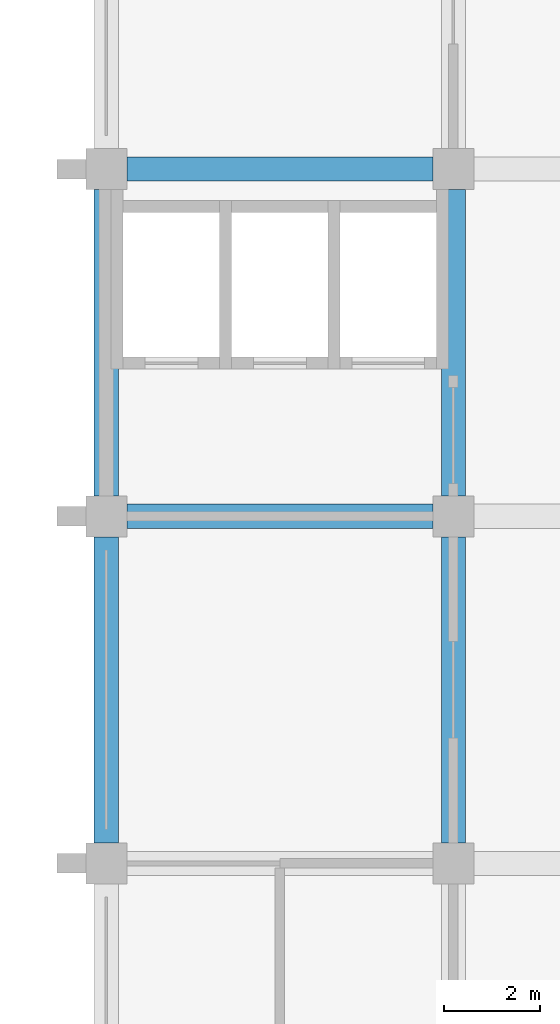
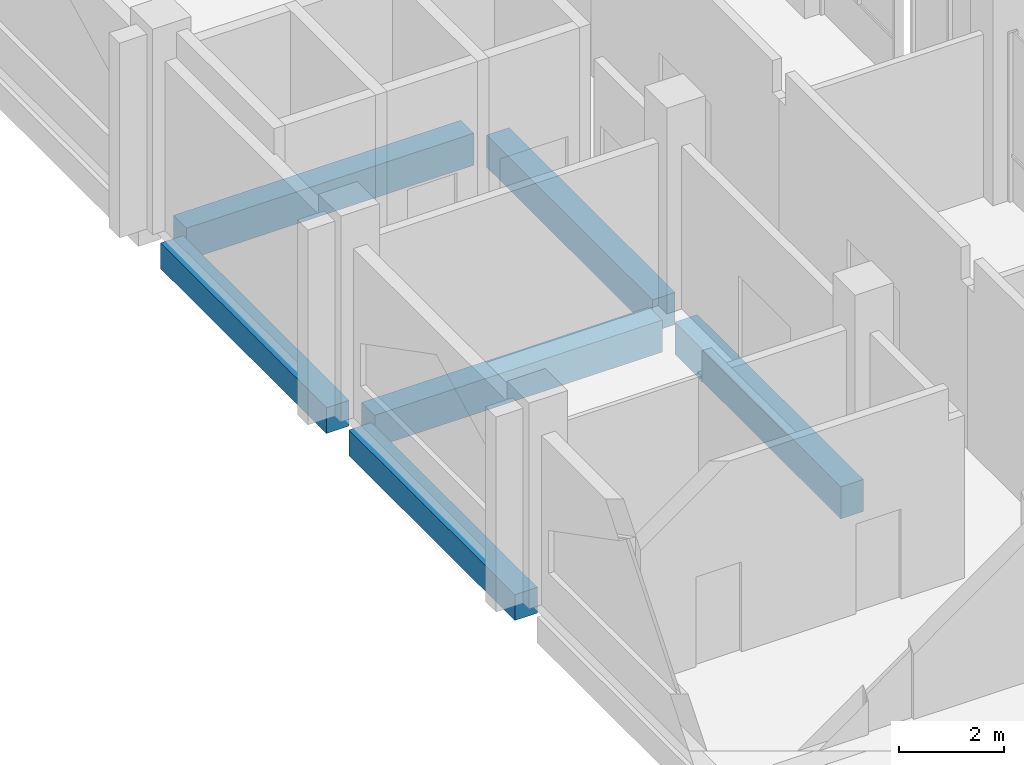
# One storey, part 17 of 40: 6 beams.
"""IFC4 building model written with IfcOpenShell, lengths in metres."""

from ifc_helpers import new_model, si_unit, direction, frame, origin, origin_2d, place, context, subcontext, project, spatial, rectangle, extrude, material, material_profile, profile_set, type_object, element, save


model = new_model("IFC4")

# Units and contexts
model_context = context("Model", 3, precision=1e-05, world=origin(), true_north=direction((0.0, 1.0)))
body_context = subcontext(model_context, "Body", "Model", "MODEL_VIEW")
ifc_project = project(units=[si_unit("LENGTHUNIT", "METRE"), si_unit("AREAUNIT", "SQUARE_METRE"), si_unit("VOLUMEUNIT", "CUBIC_METRE"), si_unit("PLANEANGLEUNIT", "RADIAN"), si_unit("MASSUNIT", "GRAM", prefix="KILO")], contexts=[model_context])

# Site, building, storey
site_placement = place(None, origin())
site = spatial("IfcSite", under=ifc_project, at=site_placement, CompositionType="ELEMENT")
building_placement = place(site_placement, origin())
building = spatial("IfcBuilding", under=site, at=building_placement, Name="Silangan Lancet Faculty of Sciences", CompositionType="ELEMENT")
storey_placement = place(building_placement, frame((0.0, 0.0, 16.800048828125)))
storey = spatial("IfcBuildingStorey", under=building, at=storey_placement, Name="L03", CompositionType="ELEMENT", Elevation=16.800048828125)

# Beams
ifc_material_1 = material(Name="Concrete C40/50", Category="concrete")
ifc_material_profile_1 = material_profile(ifc_material_1, rectangle(XDim=0.5, YDim=0.60009765625, at=origin_2d()), Name="RC 500x600")
ifc_profile_set_1 = profile_set([ifc_material_profile_1], Name="Concrete C40/50")
beam_type_1 = type_object("IfcBeamType", Name="BEAM RC 500x600", PredefinedType="BEAM", material=ifc_profile_set_1)
for number, where, z_axis, x_axis, name in (
    (1, (72.0, 14.824951171875, -0.550048828125), (0.0, 1.0, 0.0), (-1.0, 0.0, 0.0), "BM-L03-11C-11D"),
    (2, (72.0, 22.02490234375, -0.550048828125), (0.0, 1.0, 0.0), (-1.0, 0.0, 0.0), "BM-L03-11D-11E"),
):
    element("IfcBeam", number, at=place(storey_placement, frame(where, z_axis=z_axis, x_axis=x_axis)), inside=storey, type_object=beam_type_1, Name=name, PredefinedType="BEAM", context=body_context, shape_type="SweptSolid", body=[
        extrude(rectangle(XDim=0.5, YDim=0.60009765625, at=origin_2d()), origin(), (0.0, 0.0, 1.0), 6.35009765625),
    ])
ifc_material_2 = material(Name="Concrete C40/50", Category="concrete")
ifc_material_profile_2 = material_profile(ifc_material_2, rectangle(XDim=0.5, YDim=0.75, at=origin_2d()), Name="RC 500x750")
ifc_profile_set_2 = profile_set([ifc_material_profile_2], Name="Concrete C40/50")
beam_type_2 = type_object("IfcBeamType", Name="BEAM RC 500x750", PredefinedType="BEAM", material=ifc_profile_set_2)
for number, where, z_axis, x_axis, name in (
    (3, (72.425048828125, 21.60009765625, -0.625), (1.0, 0.0, 0.0), (0.0, 1.0, 0.0), "BM-L03-11D-12D"),
    (4, (72.425048828125, 28.800048828125, -0.625), (1.0, 0.0, 0.0), (0.0, 1.0, 0.0), "BM-L03-11E-12E"),
):
    element("IfcBeam", number, at=place(storey_placement, frame(where, z_axis=z_axis, x_axis=x_axis)), inside=storey, type_object=beam_type_2, Name=name, PredefinedType="BEAM", context=body_context, shape_type="SweptSolid", body=[
        extrude(rectangle(XDim=0.5, YDim=0.75, at=origin_2d()), origin(), (0.0, 0.0, 1.0), 6.349853515625),
    ])
for number, where, z_axis, x_axis, name in (
    (5, (79.199951171875, 14.824951171875, -0.625), (0.0, 1.0, 0.0), (-1.0, 0.0, 0.0), "BM-L03-12C-12D"),
    (6, (79.199951171875, 22.02490234375, -0.625), (0.0, 1.0, 0.0), (-1.0, 0.0, 0.0), "BM-L03-12D-12E"),
):
    element("IfcBeam", number, at=place(storey_placement, frame(where, z_axis=z_axis, x_axis=x_axis)), inside=storey, type_object=beam_type_2, Name=name, PredefinedType="BEAM", context=body_context, shape_type="SweptSolid", body=[
        extrude(rectangle(XDim=0.5, YDim=0.75, at=origin_2d()), origin(), (0.0, 0.0, 1.0), 6.35009765625),
    ])

save(model, "model.ifc")
